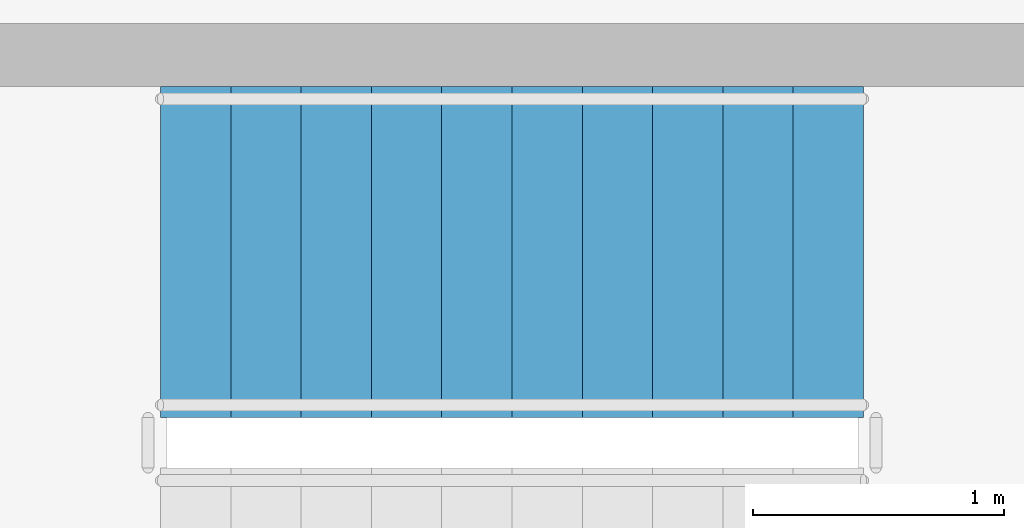
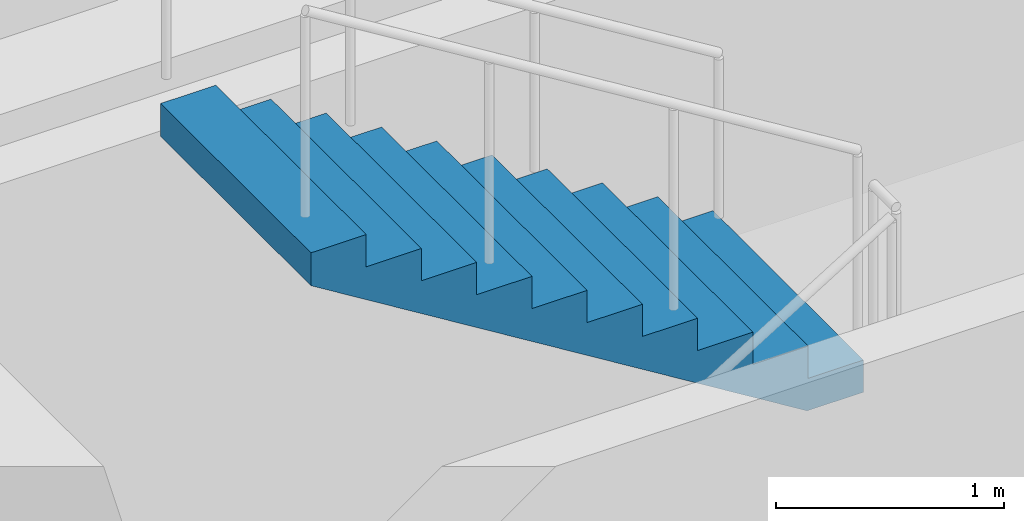
# One storey, part 8 of 11: 1 stair flight, 1 element without a shape of its own.
"""IFC4 building model written with IfcOpenShell, lengths in metres."""

import ifcopenshell
import ifcopenshell.guid

model = None  # the IFC model being written
_history = None  # IfcOwnerHistory: only IFC2X3 demands one
_inside = {}  # id of a spatial element -> (the spatial element, [elements in it])
_under = {}  # id of a project, library or spatial element -> (it, [spatial elements below it])
_declared = {}  # id of a project -> (the project, [libraries it declares])
_typed = {}  # id of a type object -> (the type object, [elements of that type])
_made_of = {}  # id of a material, layer set ... -> (it, [elements and type objects made of it])


def new_model(schema):
    """Start an empty IFC model of exactly this schema.

    Asked for "IFC4X3", IfcOpenShell would pick the latest addendum, in which some entities
    have other attributes; the version numbers below select the first issue.
    IFC2X3 requires an IfcOwnerHistory on every rooted entity: one is made here for all.
    """
    global model, _history
    if schema == "IFC4X3":
        model = ifcopenshell.file(schema_version=(4, 3, 0, 0))
    else:
        model = ifcopenshell.file(schema=schema)
    _inside.clear()
    _under.clear()
    _declared.clear()
    _typed.clear()
    _made_of.clear()
    _history = None
    if model.schema == "IFC2X3":
        org = make("IfcOrganization", Name="unknown")
        user = make(
            "IfcPersonAndOrganization",
            ThePerson=make("IfcPerson", FamilyName="unknown"),
            TheOrganization=org,
        )
        app = make(
            "IfcApplication",
            ApplicationDeveloper=org,
            Version="unknown",
            ApplicationFullName="unknown",
            ApplicationIdentifier="unknown",
        )
        _history = make(
            "IfcOwnerHistory",
            OwningUser=user,
            OwningApplication=app,
            ChangeAction="ADDED",
            CreationDate=0,
        )
    return model


def make(cls, **values):
    """One entity of the class cls with the attributes given. An attribute that is None is left unset."""
    return model.create_entity(
        cls, **{name: value for name, value in values.items() if value is not None}
    )


def rooted(cls, **values):
    """An entity with a GlobalId (a new one), such as an element, a storey or a relation."""
    return make(cls, GlobalId=ifcopenshell.guid.new(), OwnerHistory=_history, **values)


def si_unit(unit_type, name, prefix=None):
    """IfcSIUnit, for example si_unit("LENGTHUNIT", "METRE", prefix="MILLI")."""
    return make("IfcSIUnit", UnitType=unit_type, Prefix=prefix, Name=name)


def assignment(units):
    """IfcUnitAssignment: the units of a project."""
    return None if units is None else make("IfcUnitAssignment", Units=units)


def point(xyz):
    """IfcCartesianPoint."""
    return None if xyz is None else make("IfcCartesianPoint", Coordinates=xyz)


def direction(xyz):
    """IfcDirection."""
    return None if xyz is None else make("IfcDirection", DirectionRatios=xyz)


def frame(location, z_axis=None, x_axis=None):
    """IfcAxis2Placement3D, a coordinate frame: its origin and axes. An axis left out is left unset."""
    return make(
        "IfcAxis2Placement3D",
        Location=point(location),
        Axis=direction(z_axis),
        RefDirection=direction(x_axis),
    )


def origin():
    """The frame at (0, 0, 0) with its axes left unset."""
    return frame((0.0, 0.0, 0.0))


def place(relative_to, where):
    """IfcLocalPlacement: puts the frame where relative to a parent placement (None: the world)."""
    return make(
        "IfcLocalPlacement", PlacementRelTo=relative_to, RelativePlacement=where
    )


def context(
    kind, dimensions, precision=None, world=None, true_north=None, identifier=None
):
    """IfcGeometricRepresentationContext, for example the 3D "Model" context."""
    return make(
        "IfcGeometricRepresentationContext",
        ContextIdentifier=identifier,
        ContextType=kind,
        CoordinateSpaceDimension=dimensions,
        Precision=precision,
        WorldCoordinateSystem=world,
        TrueNorth=true_north,
    )


def subcontext(parent, identifier, kind, view, scale=None):
    """IfcGeometricRepresentationSubContext, for example "Body" below "Model"."""
    return make(
        "IfcGeometricRepresentationSubContext",
        ContextIdentifier=identifier,
        ContextType=kind,
        ParentContext=parent,
        TargetScale=scale,
        TargetView=view,
    )


def project(units=None, contexts=None):
    """IfcProject with its units and contexts."""
    return rooted(
        "IfcProject",
        Name="project",
        RepresentationContexts=contexts,
        UnitsInContext=assignment(units),
    )


def spatial(cls, under=None, at=None, **own):
    """A site, building, storey or space (cls), placed at a placement, below another one or the project."""
    s = rooted(cls, ObjectPlacement=at, **own)
    if under is not None:
        _under.setdefault(under.id(), (under, []))[1].append(s)
    return s


def polyline(points):
    """IfcPolyline through the points."""
    return make("IfcPolyline", Points=[point(p) for p in points])


def outline(outer, holes=None, kind="AREA"):
    """IfcArbitraryClosedProfileDef: a profile drawn as a closed curve; with holes, ...WithVoids."""
    if holes is None:
        return make("IfcArbitraryClosedProfileDef", ProfileType=kind, OuterCurve=outer)
    return make(
        "IfcArbitraryProfileDefWithVoids",
        ProfileType=kind,
        OuterCurve=outer,
        InnerCurves=holes,
    )


def extrude(swept, where, along, depth):
    """IfcExtrudedAreaSolid: the profile swept, set in the frame where, extruded along a direction by depth."""
    return make(
        "IfcExtrudedAreaSolid",
        SweptArea=swept,
        Position=where,
        ExtrudedDirection=direction(along),
        Depth=depth,
    )


def shape(context_of_items, identifier, shape_type, items):
    """IfcShapeRepresentation: the items that make up one representation, for example the "Body"."""
    return make(
        "IfcShapeRepresentation",
        ContextOfItems=context_of_items,
        RepresentationIdentifier=identifier,
        RepresentationType=shape_type,
        Items=items,
    )


def material(Name=None, Category=None):
    """IfcMaterial."""
    return make("IfcMaterial", Name=Name, Category=Category)


def made_of(thing, what):
    """Note that an element or type object is made of a material, layer set ...; save() writes the relation."""
    if what is not None:
        _made_of.setdefault(what.id(), (what, []))[1].append(thing)
    return thing


def type_object(cls, material=None, **own):
    """A type object (cls), such as IfcWallType, which elements share."""
    return made_of(rooted(cls, **own), material)


def element(
    cls,
    number,
    at=None,
    inside=None,
    cuts=None,
    type_object=None,
    material=None,
    context=None,
    identifier="Body",
    shape_type=None,
    held_by="IfcProductDefinitionShape",
    body=None,
    shapes=None,
    **own,
):
    """One element of the class cls, such as IfcWall. Its Tag is "e" and its number.

    at: its placement. inside: the storey or other place that contains it. cuts: it is an
    opening in that element (IfcRelVoidsElement). A single representation is given by context,
    identifier, shape_type and body (its items); several are given by shapes. held_by: the class
    of the entity that holds the representations. save() writes the other relations.
    """
    e = rooted(cls, Tag="e%d" % number, ObjectPlacement=at, **own)
    if body is not None:
        shapes = [shape(context, identifier, shape_type, body)]
    if shapes is not None:
        e.Representation = make(held_by, Representations=shapes)
    if inside is not None:
        _inside.setdefault(inside.id(), (inside, []))[1].append(e)
    if cuts is not None:
        rooted(
            "IfcRelVoidsElement", RelatingBuildingElement=cuts, RelatedOpeningElement=e
        )
    if type_object is not None:
        _typed.setdefault(type_object.id(), (type_object, []))[1].append(e)
    return made_of(e, material)


def aggregate(whole, parts):
    """IfcRelAggregates: a whole, such as a stair, and the parts it consists of."""
    return rooted("IfcRelAggregates", RelatingObject=whole, RelatedObjects=parts)


def save(model, path):
    """Write the relations noted so far, then the file.

    IfcRelAggregates (storeys below a building ...), IfcRelContainedInSpatialStructure (elements
    in a storey), IfcRelDefinesByType, IfcRelAssociatesMaterial and IfcRelDeclares: one each for
    every whole, place, type object, material and project.
    """
    for whole, parts in _under.values():
        aggregate(whole, parts)
    for where, things in _inside.values():
        rooted(
            "IfcRelContainedInSpatialStructure",
            RelatedElements=things,
            RelatingStructure=where,
        )
    for kind, things in _typed.values():
        rooted("IfcRelDefinesByType", RelatedObjects=things, RelatingType=kind)
    for what, things in _made_of.values():
        rooted("IfcRelAssociatesMaterial", RelatedObjects=things, RelatingMaterial=what)
    for by, libraries in _declared.values():
        rooted("IfcRelDeclares", RelatingContext=by, RelatedDefinitions=libraries)
    model.write(path)


model = new_model("IFC4")

# Units and contexts
model_context = context("Model", 3, precision=1e-05, world=origin(), true_north=direction((0.0, 1.0)))
body_context = subcontext(model_context, "Body", "Model", "MODEL_VIEW")
ifc_project = project(units=[si_unit("LENGTHUNIT", "METRE"), si_unit("AREAUNIT", "SQUARE_METRE"), si_unit("VOLUMEUNIT", "CUBIC_METRE"), si_unit("PLANEANGLEUNIT", "RADIAN"), si_unit("MASSUNIT", "GRAM", prefix="KILO")], contexts=[model_context])

# Site, building, storey
site_placement = place(None, origin())
site = spatial("IfcSite", under=ifc_project, at=site_placement, CompositionType="ELEMENT")
building_placement = place(site_placement, origin())
building = spatial("IfcBuilding", under=site, at=building_placement, Name="Solnavia Interchange Tower", CompositionType="ELEMENT")
storey_placement = place(building_placement, frame((0.0, 0.0, 165.60009765625)))
storey = spatial("IfcBuildingStorey", under=building, at=storey_placement, Name="L41", CompositionType="ELEMENT", Elevation=165.60009765625)

# Stair, stair flight
ifc_material = material(Name="Concrete C40/50", Category="concrete")
stair_type = type_object("IfcStairType", Name="Stair-Dogleg-RC", PredefinedType="HALF_TURN_STAIR", material=ifc_material)
stair_placement = place(storey_placement, origin())
stair = element("IfcStair", 1, at=stair_placement, inside=storey, type_object=stair_type, Name="L41 Core exit stair 3", PredefinedType="HALF_TURN_STAIR")
stair_flight_type = type_object("IfcStairFlightType", Name="StairFlight-RC-150", PredefinedType="STRAIGHT", material=ifc_material)
stair_flight_placement = place(storey_placement, frame((18.949951171875, 23.830078125, 1.89990234375), z_axis=(0.0, 0.0, 1.0), x_axis=(-1.0, 0.0, 0.0)))
stair_flight = element("IfcStairFlight", 2, at=stair_flight_placement, type_object=stair_flight_type, Name="ST-3 flight 2", NumberOfRisers=11, NumberOfTreads=10, PredefinedType="STRAIGHT", RiserHeight=0.172727273, TreadLength=0.28, context=body_context, shape_type="SweptSolid", body=[
    extrude(outline(polyline([(0.0, 0.0), (0.0, 0.172607421875), (0.280029296875, 0.172607421875), (0.280029296875, 0.345458984375), (0.56005859375, 0.345458984375), (0.56005859375, 0.51806640625), (0.840087890625, 0.51806640625), (0.840087890625, 0.69091796875), (1.1201171875, 0.69091796875), (1.1201171875, 0.863525390625), (1.39990234375, 0.863525390625), (1.39990234375, 1.036376953125), (1.679931640625, 1.036376953125), (1.679931640625, 1.208984375), (1.9599609375, 1.208984375), (1.9599609375, 1.3818359375), (2.239990234375, 1.3818359375), (2.239990234375, 1.554443359375), (2.52001953125, 1.554443359375), (2.52001953125, 1.727294921875), (2.800048828125, 1.727294921875), (2.800048828125, 1.89990234375), (2.800048828125, 1.551025390625), (0.285400390625, 0.0), (0.0, 0.0)])), frame((0.0, 0.66015625, 0.0), z_axis=(0.0, -1.0, 0.0), x_axis=(1.0, 0.0, 0.0)), (0.0, 0.0, 1.0), 1.320068359375),
])
aggregate(stair, [stair_flight])

save(model, "model.ifc")
